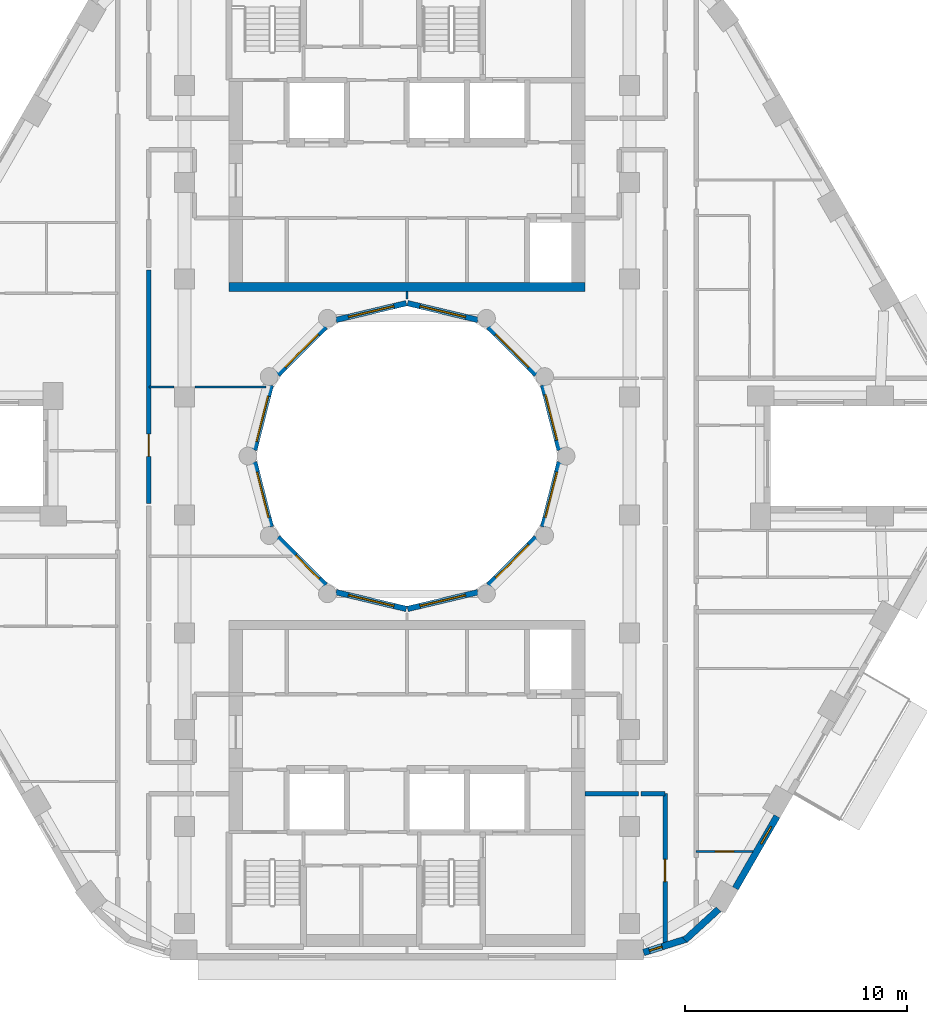
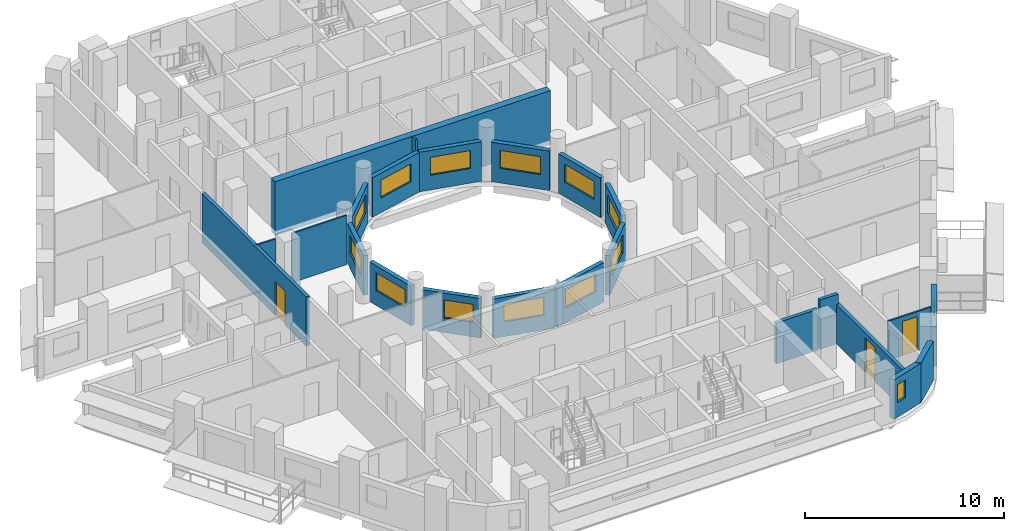
# One storey, part 5 of 16: 24 walls, 14 windows, 3 doors, 17 openings.
"""IFC4 building model written with IfcOpenShell, lengths in metres."""

from ifc_helpers import new_model, si_unit, direction, frame, frame_2d, origin, place, context, subcontext, project, spatial, rectangle, extrude, material, layer, layer_set, type_object, element, fill, save


model = new_model("IFC4")

# Units and contexts
model_context = context("Model", 3, precision=1e-05, world=origin(), true_north=direction((0.0, 1.0)))
body_context = subcontext(model_context, "Body", "Model", "MODEL_VIEW")
ifc_project = project(units=[si_unit("LENGTHUNIT", "METRE"), si_unit("AREAUNIT", "SQUARE_METRE"), si_unit("VOLUMEUNIT", "CUBIC_METRE"), si_unit("PLANEANGLEUNIT", "RADIAN"), si_unit("MASSUNIT", "GRAM", prefix="KILO")], contexts=[model_context])

# Site, building, storey
site_placement = place(None, origin())
site = spatial("IfcSite", under=ifc_project, at=site_placement, CompositionType="ELEMENT")
building_placement = place(site_placement, origin())
building = spatial("IfcBuilding", under=site, at=building_placement, Name="Nakaniwa Court", CompositionType="ELEMENT")
storey_placement = place(building_placement, frame((0.0, 0.0, 193.199951171875)))
storey = spatial("IfcBuildingStorey", under=building, at=storey_placement, Name="L50", CompositionType="ELEMENT", Elevation=193.199951171875)

# Wall, opening, door
ifc_material_1 = material(Name="Acoustic double stud partition")
ifc_layer_1 = layer(ifc_material_1, 0.199951171875)
ifc_layer_set_1 = layer_set([ifc_layer_1], Name="Acoustic double stud partition")
wall_type_1 = type_object("IfcWallType", Name="Acoustic double stud partition 200", PredefinedType="PARTITIONING", material=ifc_layer_set_1)
wall_1_placement = place(storey_placement, frame((91.60009765625, 57.92626953125, 0.0), z_axis=(0.0, 0.0, 1.0), x_axis=(0.0, 1.0, 0.0)))
wall_1 = element("IfcWall", 1, at=wall_1_placement, inside=storey, type_object=wall_type_1, Name="Partition PW-069", PredefinedType="PARTITIONING", context=body_context, shape_type="SweptSolid", body=[
    extrude(rectangle(XDim=6.898681640625, YDim=0.199951171875, at=frame_2d((3.44921875, 0.0))), origin(), (0.0, 0.0, 1.0), 2.405029296875),
])
opening_1_placement = place(wall_1_placement, frame((2.948974609375, 0.0, 0.0)))
opening_1 = element("IfcOpeningElement", 2, at=opening_1_placement, cuts=wall_1, Name="Opening D-02-01", PredefinedType="OPENING", context=body_context, shape_type="SweptSolid", body=[
    extrude(rectangle(XDim=1.0, YDim=2.10009765625, at=frame_2d((0.5, 1.050048828125))), frame((0.0, 0.10986328125, 0.0), z_axis=(0.0, -1.0, 0.0), x_axis=(1.0, 0.0, 0.0)), (0.0, 0.0, 1.0), 0.219970703125),
])
ifc_material_2 = material(Name="Solid core timber door set, black veneer", Category="wood")
door_type_1 = type_object("IfcDoorType", Name="Internal door 1000", OperationType="NOTDEFINED", PredefinedType="DOOR", material=ifc_material_2)
door_1_placement = place(opening_1_placement, origin())
door_1 = element("IfcDoor", 3, at=door_1_placement, inside=storey, type_object=door_type_1, Name="Door D-02-01 L50-025", OperationType="SINGLE_SWING_RIGHT", OverallHeight=2.10009765625, OverallWidth=1.0, PredefinedType="DOOR", context=body_context, shape_type="SweptSolid", body=[
    extrude(rectangle(XDim=1.0, YDim=2.10009765625, at=frame_2d((0.5, 1.050048828125))), frame((0.0, 0.02490234375, 0.0), z_axis=(0.0, -1.0, 0.0), x_axis=(1.0, 0.0, 0.0)), (0.0, 0.0, 1.0), 0.050048828125),
])
fill(opening_1, door_1)

# Walls
wall_2_placement = place(storey_placement, frame((88.0, 64.824951171875, 0.0), z_axis=(0.0, 0.0, 1.0), x_axis=(1.0, 0.0, 0.0)))
element("IfcWall", 4, at=wall_2_placement, inside=storey, type_object=wall_type_1, Name="Partition PW-077", PredefinedType="PARTITIONING", context=body_context, shape_type="SweptSolid", body=[
    extrude(rectangle(XDim=2.412841796875, YDim=0.199951171875, at=frame_2d((1.20654296875, 0.0))), origin(), (0.0, 0.0, 1.0), 2.505126953125),
])
wall_3_placement = place(storey_placement, frame((90.527099609375, 64.824951171875, 0.0), z_axis=(0.0, 0.0, 1.0), x_axis=(1.0, 0.0, 0.0)))
element("IfcWall", 5, at=wall_3_placement, inside=storey, type_object=wall_type_1, Name="Partition PW-078", PredefinedType="PARTITIONING", context=body_context, shape_type="SweptSolid", body=[
    extrude(rectangle(XDim=1.072998046875, YDim=0.199951171875, at=frame_2d((0.53662109375, 0.0))), origin(), (0.0, 0.0, 1.0), 3.025146484375),
])

# Wall, opening, door
wall_4_placement = place(storey_placement, frame((68.39990234375, 88.36279296875, 0.0), z_axis=(0.0, 0.0, 1.0), x_axis=(0.0, -1.0, 0.0)))
wall_4 = element("IfcWall", 6, at=wall_4_placement, inside=storey, type_object=wall_type_1, Name="Partition PW-099", PredefinedType="PARTITIONING", context=body_context, shape_type="SweptSolid", body=[
    extrude(rectangle(XDim=10.485595703125, YDim=0.199951171875, at=frame_2d((5.24267578125, 0.0))), origin(), (0.0, 0.0, 1.0), 3.025146484375),
])
opening_2_placement = place(wall_4_placement, frame((7.373046875, 0.0, 0.0)))
opening_2 = element("IfcOpeningElement", 7, at=opening_2_placement, cuts=wall_4, Name="Opening D-02-09", PredefinedType="OPENING", context=body_context, shape_type="SweptSolid", body=[
    extrude(rectangle(XDim=1.0, YDim=2.10009765625, at=frame_2d((0.5, 1.050048828125))), frame((0.0, 0.10986328125, 0.0), z_axis=(0.0, -1.0, 0.0), x_axis=(1.0, 0.0, 0.0)), (0.0, 0.0, 1.0), 0.219970703125),
])
door_2_placement = place(opening_2_placement, origin())
door_2 = element("IfcDoor", 8, at=door_2_placement, inside=storey, type_object=door_type_1, Name="Door D-02-09 L50-056", OperationType="SINGLE_SWING_LEFT", OverallHeight=2.10009765625, OverallWidth=1.0, PredefinedType="DOOR", context=body_context, shape_type="SweptSolid", body=[
    extrude(rectangle(XDim=1.0, YDim=2.10009765625, at=frame_2d((0.5, 1.050048828125))), frame((0.0, 0.02490234375, 0.0), z_axis=(0.0, -1.0, 0.0), x_axis=(1.0, 0.0, 0.0)), (0.0, 0.0, 1.0), 0.050048828125),
])
fill(opening_2, door_2)

# Wall, opening, window
ifc_material_3 = material(Name="Charcoal ceramic cladding")
ifc_layer_2 = layer(ifc_material_3, 0.02, Name="Ceramic cladding")
ifc_material_4 = material(Name="Ventilated air cavity")
ifc_layer_3 = layer(ifc_material_4, 0.04, ventilated=True, Name="Ventilated cavity")
ifc_material_5 = material(Name="Mineral wool insulation")
ifc_layer_4 = layer(ifc_material_5, 0.1, Name="Insulation")
ifc_material_6 = material(Name="Cement bonded sheathing board")
ifc_layer_5 = layer(ifc_material_6, 0.012, Name="Sheathing")
ifc_material_7 = material(Name="Cold-formed galvanised stud frame with mineral wool infill")
ifc_layer_6 = layer(ifc_material_7, 0.1, Name="Stud frame")
ifc_material_8 = material(Name="Fire-rated gypsum plasterboard lining")
ifc_layer_7 = layer(ifc_material_8, 0.028, Name="Lining")
ifc_layer_set_2 = layer_set([ifc_layer_2, ifc_layer_3, ifc_layer_4, ifc_layer_5, ifc_layer_6, ifc_layer_7], Name="Charcoal ceramic faced external wall system")
wall_type_2 = type_object("IfcWallType", Name="Black ceramic faced external wall 300", PredefinedType="SOLIDWALL", material=ifc_layer_set_2)
wall_5_placement = place(storey_placement, frame((90.6357421875, 57.684814453125, 0.0), z_axis=(0.0, 0.0, 1.0), x_axis=(0.95368324118, 0.300812691707, 0.0)))
wall_5 = element("IfcWall", 9, at=wall_5_placement, inside=storey, type_object=wall_type_2, Name="L50 external wall 27", PredefinedType="SOLIDWALL", context=body_context, shape_type="SweptSolid", body=[
    extrude(rectangle(XDim=2.053466796875, YDim=0.300048828125, at=frame_2d((1.02685546875, 0.0))), origin(), (0.0, 0.0, 1.0), 2.425048828125),
])
opening_3_placement = place(wall_5_placement, frame((0.271240234375, 0.0, 0.89990234375)))
opening_3 = element("IfcOpeningElement", 10, at=opening_3_placement, cuts=wall_5, Name="Opening W8.28", PredefinedType="OPENING", context=body_context, shape_type="SweptSolid", body=[
    extrude(rectangle(XDim=0.60009765625, YDim=1.10009765625, at=frame_2d((0.300048828125, 0.550048828125))), frame((0.0, 0.159912109375, 0.0), z_axis=(0.0, -1.0, 0.0), x_axis=(1.0, 0.0, 0.0)), (0.0, 0.0, 1.0), 0.320068359375),
])
ifc_material_9 = material(Name="Black anodised aluminium frame with dark low-E laminated double glazing", Category="aluminium")
window_type_1 = type_object("IfcWindowType", Name="Dark glass window 600x1100 sill 900", PartitioningType="SINGLE_PANEL", PredefinedType="WINDOW", material=ifc_material_9)
window_1_placement = place(opening_3_placement, origin())
window_1 = element("IfcWindow", 11, at=window_1_placement, inside=storey, type_object=window_type_1, Name="L50 habitable room window 27-0", OverallHeight=1.10009765625, OverallWidth=0.60009765625, PartitioningType="SINGLE_PANEL", PredefinedType="WINDOW", context=body_context, shape_type="SweptSolid", body=[
    extrude(rectangle(XDim=0.60009765625, YDim=1.10009765625, at=frame_2d((0.300048828125, 0.550048828125))), frame((0.0, 0.030029296875, 0.0), z_axis=(0.0, -1.0, 0.0), x_axis=(1.0, 0.0, 0.0)), (0.0, 0.0, 1.0), 0.06005859375),
])
fill(opening_3, window_1)

# Wall
wall_6_placement = place(storey_placement, frame((92.494140625, 58.243896484375, 0.0), z_axis=(0.0, 0.0, 1.0), x_axis=(0.73764876128, 0.675184645102, 0.0)))
element("IfcWall", 12, at=wall_6_placement, inside=storey, type_object=wall_type_2, Name="L50 external wall 28", PredefinedType="SOLIDWALL", context=body_context, shape_type="SweptSolid", body=[
    extrude(rectangle(XDim=2.048095703125, YDim=0.300048828125, at=frame_2d((1.02392578125, 0.0))), origin(), (0.0, 0.0, 1.0), 2.425048828125),
])

# Wall, opening, window
wall_7_placement = place(storey_placement, frame((94.760986328125, 60.566650390625, 0.0), z_axis=(0.0, 0.0, 1.0), x_axis=(0.499982088007, 0.866035745032, 0.0)))
wall_7 = element("IfcWall", 13, at=wall_7_placement, inside=storey, type_object=wall_type_2, Name="L50 external wall 29", PredefinedType="SOLIDWALL", context=body_context, shape_type="SweptSolid", body=[
    extrude(rectangle(XDim=3.744384765625, YDim=0.300048828125, at=frame_2d((1.8720703125, 0.0))), origin(), (0.0, 0.0, 1.0), 2.425048828125),
])
opening_4_placement = place(wall_7_placement, frame((2.318603515625, 0.0, 1.5)))
opening_4 = element("IfcOpeningElement", 14, at=opening_4_placement, cuts=wall_7, Name="Opening W10.29", PredefinedType="OPENING", context=body_context, shape_type="SweptSolid", body=[
    extrude(rectangle(XDim=0.89990234375, YDim=0.5, at=frame_2d((0.449951171875, 0.25))), frame((0.0, 0.159912109375, 0.0), z_axis=(0.0, -1.0, 0.0), x_axis=(1.0, 0.0, 0.0)), (0.0, 0.0, 1.0), 0.320068359375),
])
window_type_2 = type_object("IfcWindowType", Name="Dark glass window 900x500 sill 1500", PartitioningType="SINGLE_PANEL", PredefinedType="WINDOW", material=ifc_material_9)
window_2_placement = place(opening_4_placement, origin())
window_2 = element("IfcWindow", 15, at=window_2_placement, inside=storey, type_object=window_type_2, Name="L50 bathroom window 29-1", OverallHeight=0.5, OverallWidth=0.89990234375, PartitioningType="SINGLE_PANEL", PredefinedType="WINDOW", context=body_context, shape_type="SweptSolid", body=[
    extrude(rectangle(XDim=0.89990234375, YDim=0.5, at=frame_2d((0.449951171875, 0.25))), frame((0.0, 0.030029296875, 0.0), z_axis=(0.0, -1.0, 0.0), x_axis=(1.0, 0.0, 0.0)), (0.0, 0.0, 1.0), 0.06005859375),
])
fill(opening_4, window_2)

ifc_layer_8 = layer(ifc_material_3, 0.02, Name="Ceramic cladding")
ifc_layer_9 = layer(ifc_material_4, 0.04, ventilated=True, Name="Ventilated cavity")
ifc_layer_10 = layer(ifc_material_5, 0.075, Name="Insulation")
ifc_layer_11 = layer(ifc_material_6, 0.012, Name="Sheathing")
ifc_layer_12 = layer(ifc_material_7, 0.075, Name="Stud frame")
ifc_layer_13 = layer(ifc_material_8, 0.028, Name="Lining")
ifc_layer_set_3 = layer_set([ifc_layer_8, ifc_layer_9, ifc_layer_10, ifc_layer_11, ifc_layer_12, ifc_layer_13], Name="Charcoal ceramic faced external wall system")
wall_type_3 = type_object("IfcWallType", Name="Charcoal ceramic faced well wall 250", PredefinedType="SOLIDWALL", material=ifc_layer_set_3)
wall_8_placement = place(storey_placement, frame((86.8603515625, 79.72998046875, 0.0), z_axis=(0.0, 0.0, 1.0), x_axis=(-0.247055971283, -0.969001211069, 0.0)))
wall_8 = element("IfcWall", 16, at=wall_8_placement, inside=storey, type_object=wall_type_3, Name="L50 external wall 36", PredefinedType="SOLIDWALL", context=body_context, shape_type="SweptSolid", body=[
    extrude(rectangle(XDim=3.010009765625, YDim=0.25, at=frame_2d((1.5048828125, 0.0))), origin(), (0.0, 0.0, 1.0), 2.425048828125),
])
opening_5_placement = place(wall_8_placement, frame((0.46875, 0.0, 0.89990234375)))
opening_5 = element("IfcOpeningElement", 17, at=opening_5_placement, cuts=wall_8, Name="Opening W7.36", PredefinedType="OPENING", context=body_context, shape_type="SweptSolid", body=[
    extrude(rectangle(XDim=2.10009765625, YDim=1.10009765625, at=frame_2d((1.050048828125, 0.550048828125))), frame((0.0, 0.135009765625, 0.0), z_axis=(0.0, -1.0, 0.0), x_axis=(1.0, 0.0, 0.0)), (0.0, 0.0, 1.0), 0.27001953125),
])
window_type_3 = type_object("IfcWindowType", Name="Dark glass window 2100x1100 sill 900", PartitioningType="SINGLE_PANEL", PredefinedType="WINDOW", material=ifc_material_9)
window_3_placement = place(opening_5_placement, origin())
window_3 = element("IfcWindow", 18, at=window_3_placement, inside=storey, type_object=window_type_3, Name="L50 habitable room window 36-0", OverallHeight=1.10009765625, OverallWidth=2.10009765625, PartitioningType="SINGLE_PANEL", PredefinedType="WINDOW", context=body_context, shape_type="SweptSolid", body=[
    extrude(rectangle(XDim=2.10009765625, YDim=1.10009765625, at=frame_2d((1.050048828125, 0.550048828125))), frame((0.0, 0.030029296875, 0.0), z_axis=(0.0, -1.0, 0.0), x_axis=(1.0, 0.0, 0.0)), (0.0, 0.0, 1.0), 0.06005859375),
])
fill(opening_5, window_3)

wall_9_placement = place(storey_placement, frame((85.8056640625, 76.339111328125, 0.0), z_axis=(0.0, 0.0, 1.0), x_axis=(-0.707106781187, -0.707106781187, 0.0)))
wall_9 = element("IfcWall", 19, at=wall_9_placement, inside=storey, type_object=wall_type_3, Name="L50 external wall 37", PredefinedType="SOLIDWALL", context=body_context, shape_type="SweptSolid", body=[
    extrude(rectangle(XDim=3.033203125, YDim=0.25, at=frame_2d((1.5166015625, 0.0))), origin(), (0.0, 0.0, 1.0), 2.425048828125),
])
opening_6_placement = place(wall_9_placement, frame((0.466552734375, 0.0, 0.89990234375)))
opening_6 = element("IfcOpeningElement", 20, at=opening_6_placement, cuts=wall_9, Name="Opening W7.37", PredefinedType="OPENING", context=body_context, shape_type="SweptSolid", body=[
    extrude(rectangle(XDim=2.10009765625, YDim=1.10009765625, at=frame_2d((1.050048828125, 0.550048828125))), frame((0.0, 0.135009765625, 0.0), z_axis=(0.0, -1.0, 0.0), x_axis=(1.0, 0.0, 0.0)), (0.0, 0.0, 1.0), 0.27001953125),
])
window_4_placement = place(opening_6_placement, origin())
window_4 = element("IfcWindow", 21, at=window_4_placement, inside=storey, type_object=window_type_3, Name="L50 habitable room window 37-0", OverallHeight=1.10009765625, OverallWidth=2.10009765625, PartitioningType="SINGLE_PANEL", PredefinedType="WINDOW", context=body_context, shape_type="SweptSolid", body=[
    extrude(rectangle(XDim=2.10009765625, YDim=1.10009765625, at=frame_2d((1.050048828125, 0.550048828125))), frame((0.0, 0.030029296875, 0.0), z_axis=(0.0, -1.0, 0.0), x_axis=(1.0, 0.0, 0.0)), (0.0, 0.0, 1.0), 0.06005859375),
])
fill(opening_6, window_4)

wall_10_placement = place(storey_placement, frame((83.186279296875, 73.880615234375, 0.0), z_axis=(0.0, 0.0, 1.0), x_axis=(-0.972773113459, -0.231759508395, 0.0)))
wall_10 = element("IfcWall", 22, at=wall_10_placement, inside=storey, type_object=wall_type_3, Name="L50 external wall 38", PredefinedType="SOLIDWALL", context=body_context, shape_type="SweptSolid", body=[
    extrude(rectangle(XDim=3.24560546875, YDim=0.25, at=frame_2d((1.622802734375, 0.0))), origin(), (0.0, 0.0, 1.0), 2.425048828125),
])
opening_7_placement = place(wall_10_placement, frame((0.57275390625, 0.0, 0.89990234375)))
opening_7 = element("IfcOpeningElement", 23, at=opening_7_placement, cuts=wall_10, Name="Opening W7.38", PredefinedType="OPENING", context=body_context, shape_type="SweptSolid", body=[
    extrude(rectangle(XDim=2.10009765625, YDim=1.10009765625, at=frame_2d((1.050048828125, 0.550048828125))), frame((0.0, 0.135009765625, 0.0), z_axis=(0.0, -1.0, 0.0), x_axis=(1.0, 0.0, 0.0)), (0.0, 0.0, 1.0), 0.27001953125),
])
window_5_placement = place(opening_7_placement, origin())
window_5 = element("IfcWindow", 24, at=window_5_placement, inside=storey, type_object=window_type_3, Name="L50 habitable room window 38-0", OverallHeight=1.10009765625, OverallWidth=2.10009765625, PartitioningType="SINGLE_PANEL", PredefinedType="WINDOW", context=body_context, shape_type="SweptSolid", body=[
    extrude(rectangle(XDim=2.10009765625, YDim=1.10009765625, at=frame_2d((1.050048828125, 0.550048828125))), frame((0.0, 0.030029296875, 0.0), z_axis=(0.0, -1.0, 0.0), x_axis=(1.0, 0.0, 0.0)), (0.0, 0.0, 1.0), 0.06005859375),
])
fill(opening_7, window_5)

wall_11_placement = place(storey_placement, frame((79.970947265625, 73.12841796875, 0.0), z_axis=(0.0, 0.0, 1.0), x_axis=(-0.972773113459, 0.231759508395, 0.0)))
wall_11 = element("IfcWall", 25, at=wall_11_placement, inside=storey, type_object=wall_type_3, Name="L50 external wall 39", PredefinedType="SOLIDWALL", context=body_context, shape_type="SweptSolid", body=[
    extrude(rectangle(XDim=3.24560546875, YDim=0.25, at=frame_2d((1.622802734375, 0.0))), origin(), (0.0, 0.0, 1.0), 2.425048828125),
])
opening_8_placement = place(wall_11_placement, frame((0.57275390625, 0.0, 0.89990234375)))
opening_8 = element("IfcOpeningElement", 26, at=opening_8_placement, cuts=wall_11, Name="Opening W7.39", PredefinedType="OPENING", context=body_context, shape_type="SweptSolid", body=[
    extrude(rectangle(XDim=2.10009765625, YDim=1.10009765625, at=frame_2d((1.050048828125, 0.550048828125))), frame((0.0, 0.135009765625, 0.0), z_axis=(0.0, -1.0, 0.0), x_axis=(1.0, 0.0, 0.0)), (0.0, 0.0, 1.0), 0.27001953125),
])
window_6_placement = place(opening_8_placement, origin())
window_6 = element("IfcWindow", 27, at=window_6_placement, inside=storey, type_object=window_type_3, Name="L50 habitable room window 39-0", OverallHeight=1.10009765625, OverallWidth=2.10009765625, PartitioningType="SINGLE_PANEL", PredefinedType="WINDOW", context=body_context, shape_type="SweptSolid", body=[
    extrude(rectangle(XDim=2.10009765625, YDim=1.10009765625, at=frame_2d((1.050048828125, 0.550048828125))), frame((0.0, 0.030029296875, 0.0), z_axis=(0.0, -1.0, 0.0), x_axis=(1.0, 0.0, 0.0)), (0.0, 0.0, 1.0), 0.06005859375),
])
fill(opening_8, window_6)

wall_12_placement = place(storey_placement, frame((76.339111328125, 74.1943359375, 0.0), z_axis=(0.0, 0.0, 1.0), x_axis=(-0.707106781187, 0.707106781187, 0.0)))
wall_12 = element("IfcWall", 28, at=wall_12_placement, inside=storey, type_object=wall_type_3, Name="L50 external wall 40", PredefinedType="SOLIDWALL", context=body_context, shape_type="SweptSolid", body=[
    extrude(rectangle(XDim=3.033203125, YDim=0.25, at=frame_2d((1.5166015625, 0.0))), origin(), (0.0, 0.0, 1.0), 2.425048828125),
])
opening_9_placement = place(wall_12_placement, frame((0.398681640625, 0.0, 0.89990234375)))
opening_9 = element("IfcOpeningElement", 29, at=opening_9_placement, cuts=wall_12, Name="Opening W5.40", PredefinedType="OPENING", context=body_context, shape_type="SweptSolid", body=[
    extrude(rectangle(XDim=1.5, YDim=1.10009765625, at=frame_2d((0.75, 0.550048828125))), frame((0.0, 0.135009765625, 0.0), z_axis=(0.0, -1.0, 0.0), x_axis=(1.0, 0.0, 0.0)), (0.0, 0.0, 1.0), 0.27001953125),
])
window_type_4 = type_object("IfcWindowType", Name="Dark glass window 1500x1100 sill 900", PartitioningType="SINGLE_PANEL", PredefinedType="WINDOW", material=ifc_material_9)
window_7_placement = place(opening_9_placement, origin())
window_7 = element("IfcWindow", 30, at=window_7_placement, inside=storey, type_object=window_type_4, Name="L50 habitable room window 40-0", OverallHeight=1.10009765625, OverallWidth=1.5, PartitioningType="SINGLE_PANEL", PredefinedType="WINDOW", context=body_context, shape_type="SweptSolid", body=[
    extrude(rectangle(XDim=1.5, YDim=1.10009765625, at=frame_2d((0.75, 0.550048828125))), frame((0.0, 0.030029296875, 0.0), z_axis=(0.0, -1.0, 0.0), x_axis=(1.0, 0.0, 0.0)), (0.0, 0.0, 1.0), 0.06005859375),
])
fill(opening_9, window_7)

wall_13_placement = place(storey_placement, frame((73.88330078125, 76.813232421875, 0.0), z_axis=(0.0, 0.0, 1.0), x_axis=(-0.247055971283, 0.969001211069, 0.0)))
wall_13 = element("IfcWall", 31, at=wall_13_placement, inside=storey, type_object=wall_type_3, Name="L50 external wall 41", PredefinedType="SOLIDWALL", context=body_context, shape_type="SweptSolid", body=[
    extrude(rectangle(XDim=3.010009765625, YDim=0.25, at=frame_2d((1.5048828125, 0.0))), origin(), (0.0, 0.0, 1.0), 2.425048828125),
])
opening_10_placement = place(wall_13_placement, frame((0.441162109375, 0.0, 0.89990234375)))
opening_10 = element("IfcOpeningElement", 32, at=opening_10_placement, cuts=wall_13, Name="Opening W7.41", PredefinedType="OPENING", context=body_context, shape_type="SweptSolid", body=[
    extrude(rectangle(XDim=2.10009765625, YDim=1.10009765625, at=frame_2d((1.050048828125, 0.550048828125))), frame((0.0, 0.135009765625, 0.0), z_axis=(0.0, -1.0, 0.0), x_axis=(1.0, 0.0, 0.0)), (0.0, 0.0, 1.0), 0.27001953125),
])
window_8_placement = place(opening_10_placement, origin())
window_8 = element("IfcWindow", 33, at=window_8_placement, inside=storey, type_object=window_type_3, Name="L50 habitable room window 41-0", OverallHeight=1.10009765625, OverallWidth=2.10009765625, PartitioningType="SINGLE_PANEL", PredefinedType="WINDOW", context=body_context, shape_type="SweptSolid", body=[
    extrude(rectangle(XDim=2.10009765625, YDim=1.10009765625, at=frame_2d((1.050048828125, 0.550048828125))), frame((0.0, 0.030029296875, 0.0), z_axis=(0.0, -1.0, 0.0), x_axis=(1.0, 0.0, 0.0)), (0.0, 0.0, 1.0), 0.06005859375),
])
fill(opening_10, window_8)

wall_14_placement = place(storey_placement, frame((73.1396484375, 80.27001953125, 0.0), z_axis=(0.0, 0.0, 1.0), x_axis=(0.247055971283, 0.969001211069, 0.0)))
wall_14 = element("IfcWall", 34, at=wall_14_placement, inside=storey, type_object=wall_type_3, Name="L50 external wall 42", PredefinedType="SOLIDWALL", context=body_context, shape_type="SweptSolid", body=[
    extrude(rectangle(XDim=3.010009765625, YDim=0.25, at=frame_2d((1.5048828125, 0.0))), origin(), (0.0, 0.0, 1.0), 2.425048828125),
])
opening_11_placement = place(wall_14_placement, frame((0.400634765625, 0.0, 0.89990234375)))
opening_11 = element("IfcOpeningElement", 35, at=opening_11_placement, cuts=wall_14, Name="Opening W7.42", PredefinedType="OPENING", context=body_context, shape_type="SweptSolid", body=[
    extrude(rectangle(XDim=2.10009765625, YDim=1.10009765625, at=frame_2d((1.050048828125, 0.550048828125))), frame((0.0, 0.135009765625, 0.0), z_axis=(0.0, -1.0, 0.0), x_axis=(1.0, 0.0, 0.0)), (0.0, 0.0, 1.0), 0.27001953125),
])
window_9_placement = place(opening_11_placement, origin())
window_9 = element("IfcWindow", 36, at=window_9_placement, inside=storey, type_object=window_type_3, Name="L50 habitable room window 42-0", OverallHeight=1.10009765625, OverallWidth=2.10009765625, PartitioningType="SINGLE_PANEL", PredefinedType="WINDOW", context=body_context, shape_type="SweptSolid", body=[
    extrude(rectangle(XDim=2.10009765625, YDim=1.10009765625, at=frame_2d((1.050048828125, 0.550048828125))), frame((0.0, 0.030029296875, 0.0), z_axis=(0.0, -1.0, 0.0), x_axis=(1.0, 0.0, 0.0)), (0.0, 0.0, 1.0), 0.06005859375),
])
fill(opening_11, window_9)

wall_15_placement = place(storey_placement, frame((74.1943359375, 83.660888671875, 0.0), z_axis=(0.0, 0.0, 1.0), x_axis=(0.707106781187, 0.707106781187, 0.0)))
wall_15 = element("IfcWall", 37, at=wall_15_placement, inside=storey, type_object=wall_type_3, Name="L50 external wall 43", PredefinedType="SOLIDWALL", context=body_context, shape_type="SweptSolid", body=[
    extrude(rectangle(XDim=3.033203125, YDim=0.25, at=frame_2d((1.5166015625, 0.0))), origin(), (0.0, 0.0, 1.0), 2.425048828125),
])
opening_12_placement = place(wall_15_placement, frame((0.466552734375, 0.0, 0.89990234375)))
opening_12 = element("IfcOpeningElement", 38, at=opening_12_placement, cuts=wall_15, Name="Opening W7.43", PredefinedType="OPENING", context=body_context, shape_type="SweptSolid", body=[
    extrude(rectangle(XDim=2.10009765625, YDim=1.10009765625, at=frame_2d((1.050048828125, 0.550048828125))), frame((0.0, 0.135009765625, 0.0), z_axis=(0.0, -1.0, 0.0), x_axis=(1.0, 0.0, 0.0)), (0.0, 0.0, 1.0), 0.27001953125),
])
window_10_placement = place(opening_12_placement, origin())
window_10 = element("IfcWindow", 39, at=window_10_placement, inside=storey, type_object=window_type_3, Name="L50 habitable room window 43-0", OverallHeight=1.10009765625, OverallWidth=2.10009765625, PartitioningType="SINGLE_PANEL", PredefinedType="WINDOW", context=body_context, shape_type="SweptSolid", body=[
    extrude(rectangle(XDim=2.10009765625, YDim=1.10009765625, at=frame_2d((1.050048828125, 0.550048828125))), frame((0.0, 0.030029296875, 0.0), z_axis=(0.0, -1.0, 0.0), x_axis=(1.0, 0.0, 0.0)), (0.0, 0.0, 1.0), 0.06005859375),
])
fill(opening_12, window_10)

wall_16_placement = place(storey_placement, frame((76.813720703125, 86.119384765625, 0.0), z_axis=(0.0, 0.0, 1.0), x_axis=(0.972773113459, 0.231759508395, 0.0)))
wall_16 = element("IfcWall", 40, at=wall_16_placement, inside=storey, type_object=wall_type_3, Name="L50 external wall 44", PredefinedType="SOLIDWALL", context=body_context, shape_type="SweptSolid", body=[
    extrude(rectangle(XDim=3.24560546875, YDim=0.25, at=frame_2d((1.622802734375, 0.0))), origin(), (0.0, 0.0, 1.0), 2.425048828125),
])
opening_13_placement = place(wall_16_placement, frame((0.57275390625, 0.0, 0.89990234375)))
opening_13 = element("IfcOpeningElement", 41, at=opening_13_placement, cuts=wall_16, Name="Opening W7.44", PredefinedType="OPENING", context=body_context, shape_type="SweptSolid", body=[
    extrude(rectangle(XDim=2.10009765625, YDim=1.10009765625, at=frame_2d((1.050048828125, 0.550048828125))), frame((0.0, 0.135009765625, 0.0), z_axis=(0.0, -1.0, 0.0), x_axis=(1.0, 0.0, 0.0)), (0.0, 0.0, 1.0), 0.27001953125),
])
window_11_placement = place(opening_13_placement, origin())
window_11 = element("IfcWindow", 42, at=window_11_placement, inside=storey, type_object=window_type_3, Name="L50 habitable room window 44-0", OverallHeight=1.10009765625, OverallWidth=2.10009765625, PartitioningType="SINGLE_PANEL", PredefinedType="WINDOW", context=body_context, shape_type="SweptSolid", body=[
    extrude(rectangle(XDim=2.10009765625, YDim=1.10009765625, at=frame_2d((1.050048828125, 0.550048828125))), frame((0.0, 0.030029296875, 0.0), z_axis=(0.0, -1.0, 0.0), x_axis=(1.0, 0.0, 0.0)), (0.0, 0.0, 1.0), 0.06005859375),
])
fill(opening_13, window_11)

wall_17_placement = place(storey_placement, frame((80.029052734375, 86.87158203125, 0.0), z_axis=(0.0, 0.0, 1.0), x_axis=(0.972773113459, -0.231759508395, 0.0)))
wall_17 = element("IfcWall", 43, at=wall_17_placement, inside=storey, type_object=wall_type_3, Name="L50 external wall 45", PredefinedType="SOLIDWALL", context=body_context, shape_type="SweptSolid", body=[
    extrude(rectangle(XDim=3.24560546875, YDim=0.25, at=frame_2d((1.622802734375, 0.0))), origin(), (0.0, 0.0, 1.0), 2.425048828125),
])
opening_14_placement = place(wall_17_placement, frame((0.57275390625, 0.0, 0.89990234375)))
opening_14 = element("IfcOpeningElement", 44, at=opening_14_placement, cuts=wall_17, Name="Opening W7.45", PredefinedType="OPENING", context=body_context, shape_type="SweptSolid", body=[
    extrude(rectangle(XDim=2.10009765625, YDim=1.10009765625, at=frame_2d((1.050048828125, 0.550048828125))), frame((0.0, 0.135009765625, 0.0), z_axis=(0.0, -1.0, 0.0), x_axis=(1.0, 0.0, 0.0)), (0.0, 0.0, 1.0), 0.27001953125),
])
window_12_placement = place(opening_14_placement, origin())
window_12 = element("IfcWindow", 45, at=window_12_placement, inside=storey, type_object=window_type_3, Name="L50 habitable room window 45-0", OverallHeight=1.10009765625, OverallWidth=2.10009765625, PartitioningType="SINGLE_PANEL", PredefinedType="WINDOW", context=body_context, shape_type="SweptSolid", body=[
    extrude(rectangle(XDim=2.10009765625, YDim=1.10009765625, at=frame_2d((1.050048828125, 0.550048828125))), frame((0.0, 0.030029296875, 0.0), z_axis=(0.0, -1.0, 0.0), x_axis=(1.0, 0.0, 0.0)), (0.0, 0.0, 1.0), 0.06005859375),
])
fill(opening_14, window_12)

wall_18_placement = place(storey_placement, frame((83.660888671875, 85.8056640625, 0.0), z_axis=(0.0, 0.0, 1.0), x_axis=(0.707106781187, -0.707106781187, 0.0)))
wall_18 = element("IfcWall", 46, at=wall_18_placement, inside=storey, type_object=wall_type_3, Name="L50 external wall 46", PredefinedType="SOLIDWALL", context=body_context, shape_type="SweptSolid", body=[
    extrude(rectangle(XDim=3.033203125, YDim=0.25, at=frame_2d((1.5166015625, 0.0))), origin(), (0.0, 0.0, 1.0), 2.425048828125),
])
opening_15_placement = place(wall_18_placement, frame((0.466552734375, 0.0, 0.89990234375)))
opening_15 = element("IfcOpeningElement", 47, at=opening_15_placement, cuts=wall_18, Name="Opening W7.46", PredefinedType="OPENING", context=body_context, shape_type="SweptSolid", body=[
    extrude(rectangle(XDim=2.10009765625, YDim=1.10009765625, at=frame_2d((1.050048828125, 0.550048828125))), frame((0.0, 0.135009765625, 0.0), z_axis=(0.0, -1.0, 0.0), x_axis=(1.0, 0.0, 0.0)), (0.0, 0.0, 1.0), 0.27001953125),
])
window_13_placement = place(opening_15_placement, origin())
window_13 = element("IfcWindow", 48, at=window_13_placement, inside=storey, type_object=window_type_3, Name="L50 habitable room window 46-0", OverallHeight=1.10009765625, OverallWidth=2.10009765625, PartitioningType="SINGLE_PANEL", PredefinedType="WINDOW", context=body_context, shape_type="SweptSolid", body=[
    extrude(rectangle(XDim=2.10009765625, YDim=1.10009765625, at=frame_2d((1.050048828125, 0.550048828125))), frame((0.0, 0.030029296875, 0.0), z_axis=(0.0, -1.0, 0.0), x_axis=(1.0, 0.0, 0.0)), (0.0, 0.0, 1.0), 0.06005859375),
])
fill(opening_15, window_13)

wall_19_placement = place(storey_placement, frame((86.11669921875, 83.186767578125, 0.0), z_axis=(0.0, 0.0, 1.0), x_axis=(0.247055971283, -0.969001211069, 0.0)))
wall_19 = element("IfcWall", 49, at=wall_19_placement, inside=storey, type_object=wall_type_3, Name="L50 external wall 47", PredefinedType="SOLIDWALL", context=body_context, shape_type="SweptSolid", body=[
    extrude(rectangle(XDim=3.010009765625, YDim=0.25, at=frame_2d((1.5048828125, 0.0))), origin(), (0.0, 0.0, 1.0), 2.425048828125),
])
opening_16_placement = place(wall_19_placement, frame((0.441162109375, 0.0, 0.89990234375)))
opening_16 = element("IfcOpeningElement", 50, at=opening_16_placement, cuts=wall_19, Name="Opening W7.47", PredefinedType="OPENING", context=body_context, shape_type="SweptSolid", body=[
    extrude(rectangle(XDim=2.10009765625, YDim=1.10009765625, at=frame_2d((1.050048828125, 0.550048828125))), frame((0.0, 0.135009765625, 0.0), z_axis=(0.0, -1.0, 0.0), x_axis=(1.0, 0.0, 0.0)), (0.0, 0.0, 1.0), 0.27001953125),
])
window_14_placement = place(opening_16_placement, origin())
window_14 = element("IfcWindow", 51, at=window_14_placement, inside=storey, type_object=window_type_3, Name="L50 habitable room window 47-0", OverallHeight=1.10009765625, OverallWidth=2.10009765625, PartitioningType="SINGLE_PANEL", PredefinedType="WINDOW", context=body_context, shape_type="SweptSolid", body=[
    extrude(rectangle(XDim=2.10009765625, YDim=1.10009765625, at=frame_2d((1.050048828125, 0.550048828125))), frame((0.0, 0.030029296875, 0.0), z_axis=(0.0, -1.0, 0.0), x_axis=(1.0, 0.0, 0.0)), (0.0, 0.0, 1.0), 0.06005859375),
])
fill(opening_16, window_14)

# Walls
ifc_material_10 = material(Name="Concrete C80/100", Category="concrete")
ifc_layer_14 = layer(ifc_material_10, 0.39990234375)
ifc_layer_set_4 = layer_set([ifc_layer_14], Name="Concrete C80/100")
wall_type_4 = type_object("IfcWallType", Name="Concrete core well wall 400 C80", PredefinedType="SHEAR", material=ifc_layer_set_4)
wall_20_placement = place(storey_placement, frame((72.00390625, 87.60009765625, -0.27490234375), z_axis=(0.0, 0.0, 1.0), x_axis=(1.0, 0.0, 0.0)))
element("IfcWall", 52, at=wall_20_placement, inside=storey, type_object=wall_type_4, Name="Core wall SW-140", PredefinedType="SHEAR", context=body_context, shape_type="SweptSolid", body=[
    extrude(rectangle(XDim=15.9921875, YDim=0.39990234375, at=frame_2d((7.99609375, 0.0))), origin(), (0.0, 0.0, 1.0), 3.300048828125),
])
ifc_material_11 = material(Name="Single stud plasterboard partition")
ifc_layer_15 = layer(ifc_material_11, 0.10009765625)
ifc_layer_set_5 = layer_set([ifc_layer_15], Name="Single stud plasterboard partition")
wall_type_5 = type_object("IfcWallType", Name="Single stud plasterboard partition 100", PredefinedType="PARTITIONING", material=ifc_layer_set_5)
wall_21_placement = place(storey_placement, frame((80.0, 87.048095703125, 0.0), z_axis=(0.0, 0.0, 1.0), x_axis=(0.0, 1.0, 0.0)))
element("IfcWall", 53, at=wall_21_placement, inside=storey, type_object=wall_type_5, Name="Partition PW-109", PredefinedType="PARTITIONING", context=body_context, shape_type="SweptSolid", body=[
    extrude(rectangle(XDim=0.351806640625, YDim=0.10009765625, at=frame_2d((0.17578125, 0.0))), origin(), (0.0, 0.0, 1.0), 3.025146484375),
])

# Wall, opening, door
wall_22_placement = place(storey_placement, frame((93.0009765625, 62.22509765625, 0.0), z_axis=(0.0, 0.0, 1.0), x_axis=(1.0, 0.0, 0.0)))
wall_22 = element("IfcWall", 54, at=wall_22_placement, inside=storey, type_object=wall_type_5, Name="Partition PW-112", PredefinedType="PARTITIONING", context=body_context, shape_type="SweptSolid", body=[
    extrude(rectangle(XDim=2.544189453125, YDim=0.10009765625, at=frame_2d((1.27197265625, 0.0))), origin(), (0.0, 0.0, 1.0), 2.405029296875),
])
opening_17_placement = place(wall_22_placement, frame((0.846923828125, 0.0, 0.0)))
opening_17 = element("IfcOpeningElement", 55, at=opening_17_placement, cuts=wall_22, Name="Opening D-03-01", PredefinedType="OPENING", context=body_context, shape_type="SweptSolid", body=[
    extrude(rectangle(XDim=0.85009765625, YDim=2.10009765625, at=frame_2d((0.425048828125, 1.050048828125))), frame((0.0, 0.06005859375, 0.0), z_axis=(0.0, -1.0, 0.0), x_axis=(1.0, 0.0, 0.0)), (0.0, 0.0, 1.0), 0.1201171875),
])
ifc_material_12 = material(Name="Moisture sealed timber door set", Category="wood")
door_type_2 = type_object("IfcDoorType", Name="Bathroom door 850", OperationType="NOTDEFINED", PredefinedType="DOOR", material=ifc_material_12)
door_3_placement = place(opening_17_placement, origin())
door_3 = element("IfcDoor", 56, at=door_3_placement, inside=storey, type_object=door_type_2, Name="Door D-03-01 L50-027", OperationType="SINGLE_SWING_RIGHT", OverallHeight=2.10009765625, OverallWidth=0.85009765625, PredefinedType="DOOR", context=body_context, shape_type="SweptSolid", body=[
    extrude(rectangle(XDim=0.85009765625, YDim=2.10009765625, at=frame_2d((0.425048828125, 1.050048828125))), frame((0.0, 0.02490234375, 0.0), z_axis=(0.0, -1.0, 0.0), x_axis=(1.0, 0.0, 0.0)), (0.0, 0.0, 1.0), 0.050048828125),
])
fill(opening_17, door_3)

# Walls
wall_23_placement = place(storey_placement, frame((68.40087890625, 83.10009765625, 0.0), z_axis=(0.0, 0.0, 1.0), x_axis=(1.0, 0.0, 0.0)))
element("IfcWall", 57, at=wall_23_placement, inside=storey, type_object=wall_type_5, Name="Partition PW-138", PredefinedType="PARTITIONING", context=body_context, shape_type="SweptSolid", body=[
    extrude(rectangle(XDim=1.129150390625, YDim=0.10009765625, at=frame_2d((0.564453125, 0.0))), origin(), (0.0, 0.0, 1.0), 3.025146484375),
])
wall_24_placement = place(storey_placement, frame((70.469970703125, 83.10009765625, 0.0), z_axis=(0.0, 0.0, 1.0), x_axis=(1.0, 0.0, 0.0)))
element("IfcWall", 58, at=wall_24_placement, inside=storey, type_object=wall_type_5, Name="Partition PW-139", PredefinedType="PARTITIONING", context=body_context, shape_type="SweptSolid", body=[
    extrude(rectangle(XDim=3.20166015625, YDim=0.10009765625, at=frame_2d((1.600830078125, 0.0))), origin(), (0.0, 0.0, 1.0), 3.025146484375),
])

save(model, "model.ifc")
